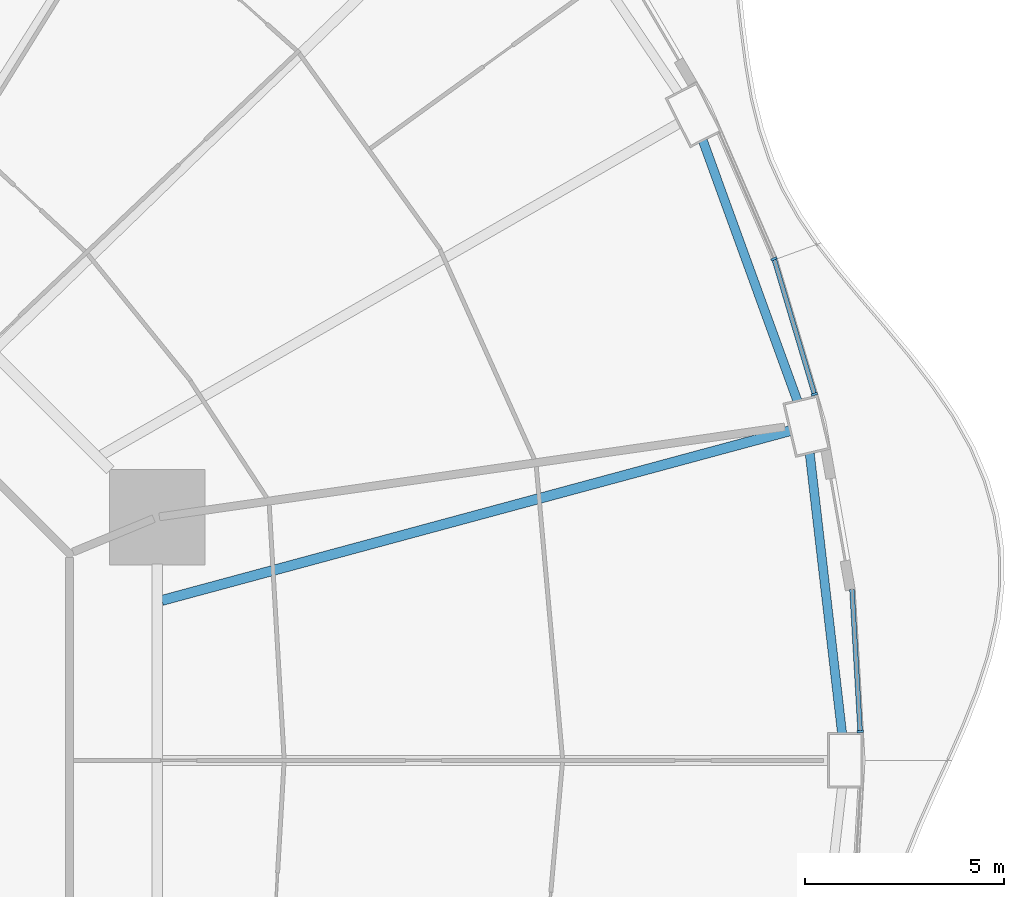
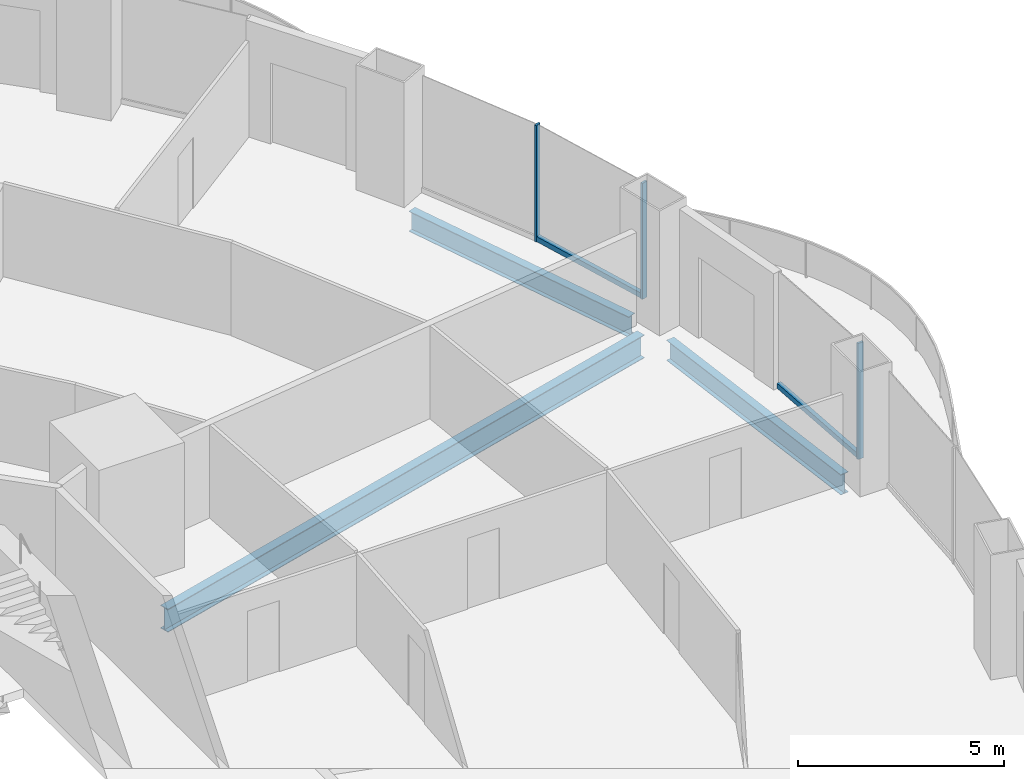
# One storey, part 9 of 22: 5 members, 3 beams, 3 elements without a shape of their own.
"""IFC4 building model written with IfcOpenShell, lengths in metres."""

from ifc_helpers import new_model, si_unit, direction, frame, origin, origin_2d, place, context, subcontext, project, spatial, rectangle, i_section, extrude, material, layer, layer_set, material_profile, profile_set, type_object, element, aggregate, save


model = new_model("IFC4")

# Units and contexts
model_context = context("Model", 3, precision=1e-05, world=origin(), true_north=direction((0.0, 1.0)))
body_context = subcontext(model_context, "Body", "Model", "MODEL_VIEW")
ifc_project = project(units=[si_unit("LENGTHUNIT", "METRE"), si_unit("AREAUNIT", "SQUARE_METRE"), si_unit("VOLUMEUNIT", "CUBIC_METRE"), si_unit("PLANEANGLEUNIT", "RADIAN"), si_unit("MASSUNIT", "GRAM", prefix="KILO")], contexts=[model_context])

# Site, building, storey
site_placement = place(None, origin())
site = spatial("IfcSite", under=ifc_project, at=site_placement, CompositionType="ELEMENT")
building_placement = place(site_placement, origin())
building = spatial("IfcBuilding", under=site, at=building_placement, Name="Nagisa Residences", CompositionType="ELEMENT")
storey_placement = place(building_placement, frame((0.0, 0.0, 49.199951171875)))
storey = spatial("IfcBuildingStorey", under=building, at=storey_placement, Name="L11", CompositionType="ELEMENT", Elevation=49.199951171875)

# Curtain wall, member
ifc_material_1 = material(Name="Concrete-coloured aluminium curtain wall system", Category="concrete")
ifc_layer = layer(ifc_material_1, 0.159912109375)
ifc_layer_set = layer_set([ifc_layer], Name="CW1 CURTAIN WALL")
curtain_wall_type = type_object("IfcCurtainWallType", Name="CW1 CURTAIN WALL", PredefinedType="NOTDEFINED", material=ifc_layer_set)
curtain_wall_1_placement = place(storey_placement, origin())
curtain_wall_1 = element("IfcCurtainWall", 1, at=curtain_wall_1_placement, inside=storey, type_object=curtain_wall_type, Name="cw:CW1:L11:00", PredefinedType="NOTDEFINED")
ifc_material_2 = material(Name="Concrete-coloured aluminium", Category="concrete")
ifc_material_profile_1 = material_profile(ifc_material_2, rectangle(XDim=0.159912109375, YDim=0.06005859375, at=origin_2d()), Name="CW1 MULLION 160x60")
ifc_profile_set_1 = profile_set([ifc_material_profile_1], Name="Concrete-coloured aluminium")
member_type_1 = type_object("IfcMemberType", Name="CW1 MULLION 160x60", PredefinedType="MULLION", material=ifc_profile_set_1)
member_1_placement = place(storey_placement, frame((32.478271484375, 0.72412109375, 0.0), z_axis=(0.0, 0.0, 1.0), x_axis=(-0.998345305184, -0.057503492216, 0.0)))
member_1 = element("IfcMember", 2, at=member_1_placement, type_object=member_type_1, Name="CW1 mullion", PredefinedType="MULLION", context=body_context, shape_type="SweptSolid", body=[
    extrude(rectangle(XDim=0.159912109375, YDim=0.06005859375, at=origin_2d()), origin(), (0.0, 0.0, 1.0), 3.43994140625),
])

curtain_wall_2_placement = place(storey_placement, origin())
curtain_wall_2 = element("IfcCurtainWall", 3, at=curtain_wall_2_placement, inside=storey, type_object=curtain_wall_type, Name="cw:CW1:L11:02", PredefinedType="NOTDEFINED")
member_2_placement = place(storey_placement, frame((31.326416015625, 9.2177734375, 0.0), z_axis=(0.0, 0.0, 1.0), x_axis=(-0.958271310082, -0.285860274038, 0.0)))
member_2 = element("IfcMember", 4, at=member_2_placement, type_object=member_type_1, Name="CW1 mullion", PredefinedType="MULLION", context=body_context, shape_type="SweptSolid", body=[
    extrude(rectangle(XDim=0.159912109375, YDim=0.06005859375, at=origin_2d()), origin(), (0.0, 0.0, 1.0), 3.43994140625),
])

curtain_wall_3_placement = place(storey_placement, origin())
curtain_wall_3 = element("IfcCurtainWall", 5, at=curtain_wall_3_placement, inside=storey, type_object=curtain_wall_type, Name="cw:CW1:L11:03", PredefinedType="NOTDEFINED")
member_3_placement = place(storey_placement, frame((30.30712890625, 12.624267578125, 0.0), z_axis=(0.0, 0.0, 1.0), x_axis=(-0.917543276295, -0.397635934147, 0.0)))
member_3 = element("IfcMember", 6, at=member_3_placement, type_object=member_type_1, Name="CW1 mullion", PredefinedType="MULLION", context=body_context, shape_type="SweptSolid", body=[
    extrude(rectangle(XDim=0.159912109375, YDim=0.06005859375, at=origin_2d()), origin(), (0.0, 0.0, 1.0), 3.43994140625),
])
aggregate(curtain_wall_3, [member_3])

# Member
ifc_material_3 = material(Name="Concrete-coloured aluminium", Category="concrete")
ifc_material_profile_2 = material_profile(ifc_material_3, rectangle(XDim=0.1201171875, YDim=0.14990234375, at=origin_2d()), Name="CW1 TRANSOM 120x150")
ifc_profile_set_2 = profile_set([ifc_material_profile_2], Name="Concrete-coloured aluminium")
member_type_2 = type_object("IfcMemberType", Name="CW1 TRANSOM 120x150", PredefinedType="USERDEFINED", material=ifc_profile_set_2)
member_4_placement = place(storey_placement, frame((32.47998046875, 0.6943359375, 0.074951171875), z_axis=(-0.057549926952, 0.998342629515, 0.0), x_axis=(-0.998342629515, -0.057549926952, 0.0)))
member_4 = element("IfcMember", 7, at=member_4_placement, type_object=member_type_2, Name="CW1 transom", ObjectType="TRANSOM", PredefinedType="USERDEFINED", context=body_context, shape_type="SweptSolid", body=[
    extrude(rectangle(XDim=0.1201171875, YDim=0.14990234375, at=origin_2d()), origin(), (0.0, 0.0, 1.0), 3.614501953125),
])

aggregate(curtain_wall_1, [member_1, member_4])

member_5_placement = place(storey_placement, frame((31.335205078125, 9.18896484375, 0.074951171875), z_axis=(-0.285871309426, 0.958268018065, 0.0), x_axis=(-0.958268018065, -0.285871309426, 0.0)))
member_5 = element("IfcMember", 8, at=member_5_placement, type_object=member_type_2, Name="CW1 transom", ObjectType="TRANSOM", PredefinedType="USERDEFINED", context=body_context, shape_type="SweptSolid", body=[
    extrude(rectangle(XDim=0.1201171875, YDim=0.14990234375, at=origin_2d()), origin(), (0.0, 0.0, 1.0), 3.5654296875),
])

aggregate(curtain_wall_2, [member_2, member_5])

# Beams
ifc_material_4 = material(Name="Steel ASTM A572 Gr 50", Category="steel")
ifc_material_profile_3 = material_profile(ifc_material_4, i_section(OverallWidth=0.22802734375, OverallDepth=0.60302734375, WebThickness=0.010498046875, FlangeThickness=0.014892578125, at=origin_2d()), Name="W610x101")
ifc_profile_set_3 = profile_set([ifc_material_profile_3], Name="Steel ASTM A572 Gr 50")
beam_type_1 = type_object("IfcBeamType", Name="Perimeter ring beam W610x101", PredefinedType="BEAM", material=ifc_profile_set_3)
beam_1_placement = place(storey_placement, frame((32.021484375, 0.68017578125, -0.5615234375), z_axis=(-0.114673717321, 0.993403210462, 0.0), x_axis=(-0.993403210462, -0.114673717321, 0.0)))
element("IfcBeam", 9, at=beam_1_placement, inside=storey, type_object=beam_type_1, Name="beam:L11:pb01", PredefinedType="BEAM", context=body_context, shape_type="SweptSolid", body=[
    extrude(i_section(OverallWidth=0.22802734375, OverallDepth=0.60302734375, WebThickness=0.010498046875, FlangeThickness=0.014892578125, at=origin_2d()), origin(), (0.0, 0.0, 1.0), 7.09814453125),
])
beam_2_placement = place(storey_placement, frame((30.89501953125, 9.055419921875, -0.5615234375), z_axis=(-0.341411143183, 0.939914055279, 0.0), x_axis=(-0.939914055279, -0.341411143183, 0.0)))
element("IfcBeam", 10, at=beam_2_placement, inside=storey, type_object=beam_type_1, Name="beam:L11:pb02", PredefinedType="BEAM", context=body_context, shape_type="SweptSolid", body=[
    extrude(i_section(OverallWidth=0.22802734375, OverallDepth=0.60302734375, WebThickness=0.010498046875, FlangeThickness=0.014892578125, at=origin_2d()), origin(), (0.0, 0.0, 1.0), 6.96923828125),
])
ifc_material_5 = material(Name="Steel ASTM A572 Gr 50", Category="steel")
ifc_material_profile_4 = material_profile(ifc_material_5, i_section(OverallWidth=0.25390625, OverallDepth=0.68408203125, WebThickness=0.012451171875, FlangeThickness=0.018798828125, at=origin_2d()), Name="W690x140")
ifc_profile_set_4 = profile_set([ifc_material_profile_4], Name="Steel ASTM A572 Gr 50")
beam_type_2 = type_object("IfcBeamType", Name="Radial beam W690x140", PredefinedType="BEAM", material=ifc_profile_set_4)
beam_3_placement = place(storey_placement, frame((30.713623046875, 8.29931640625, -0.60205078125), z_axis=(-0.965375968847, -0.260862490162, 0.0), x_axis=(0.260862490162, -0.965375968847, 0.0)))
element("IfcBeam", 11, at=beam_3_placement, inside=storey, type_object=beam_type_2, Name="beam:L11:rb02", PredefinedType="BEAM", context=body_context, shape_type="SweptSolid", body=[
    extrude(i_section(OverallWidth=0.25390625, OverallDepth=0.68408203125, WebThickness=0.012451171875, FlangeThickness=0.018798828125, at=origin_2d()), origin(), (0.0, 0.0, 1.0), 16.3857421875),
])

save(model, "model.ifc")
